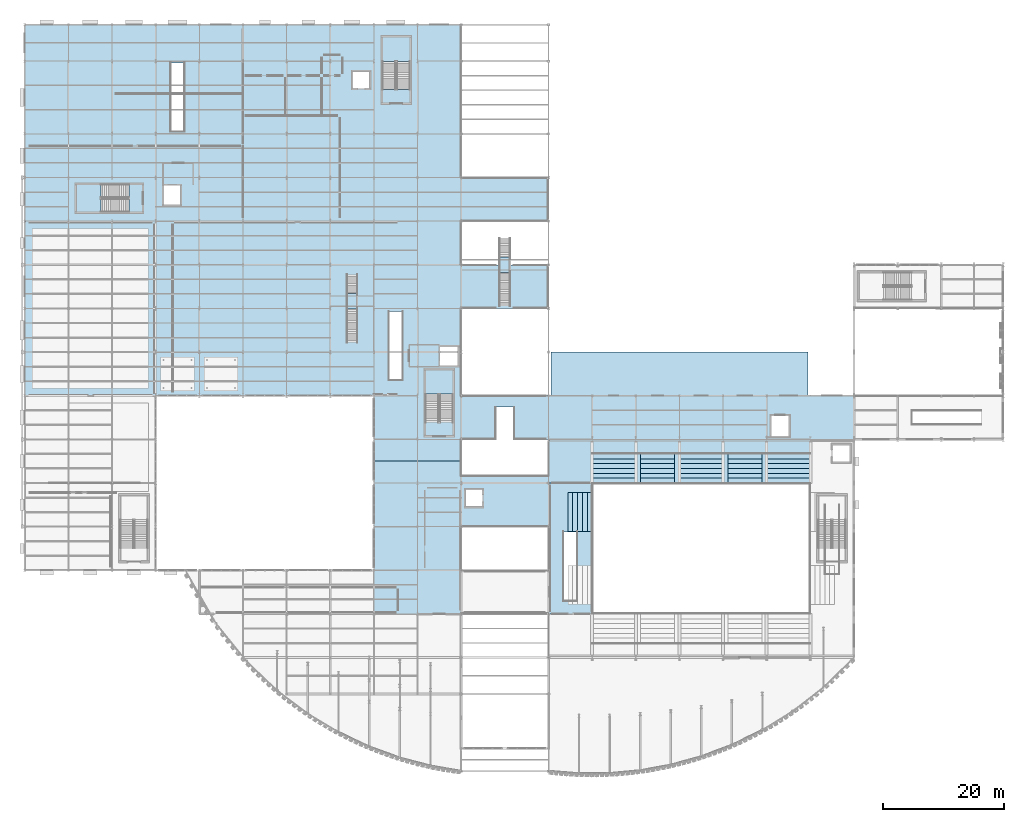
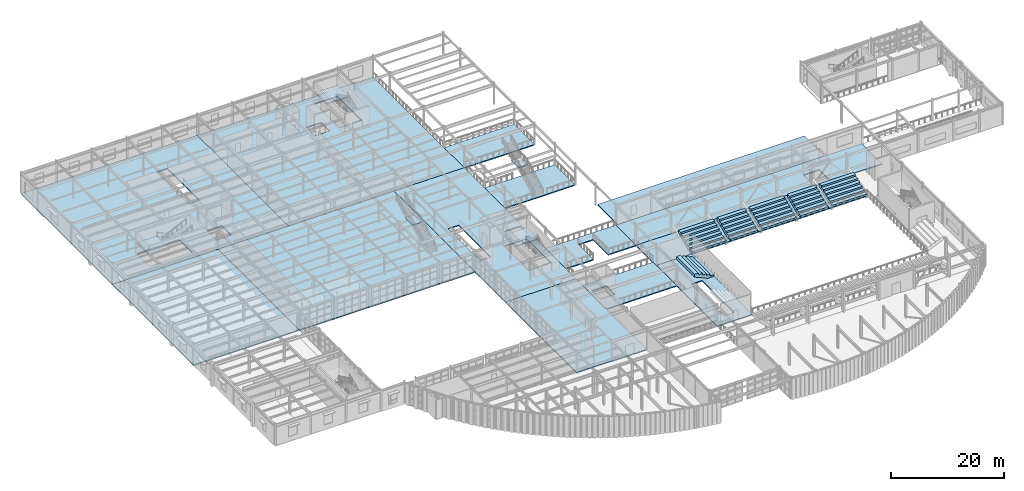
# One storey, part 87 of 121: 25 slabs, 5 elements without a shape of their own.
"""IFC4 building model written with IfcOpenShell, lengths in metres."""

from ifc_helpers import new_model, si_unit, direction, frame, origin, place, context, subcontext, project, spatial, polyline, outline, extrude, material, layer, layer_set, type_object, element, aggregate, save


model = new_model("IFC4")

# Units and contexts
model_context = context("Model", 3, precision=1e-05, world=origin(), true_north=direction((0.0, 1.0)))
body_context = subcontext(model_context, "Body", "Model", "MODEL_VIEW")
ifc_project = project(units=[si_unit("LENGTHUNIT", "METRE"), si_unit("AREAUNIT", "SQUARE_METRE"), si_unit("VOLUMEUNIT", "CUBIC_METRE"), si_unit("PLANEANGLEUNIT", "RADIAN"), si_unit("MASSUNIT", "GRAM", prefix="KILO")], contexts=[model_context])

# Site, building, storey
site_placement = place(None, origin())
site = spatial("IfcSite", under=ifc_project, at=site_placement, CompositionType="ELEMENT")
building_placement = place(site_placement, origin())
building = spatial("IfcBuilding", under=site, at=building_placement, Name="Solvadek Multi-Sports Hall", CompositionType="ELEMENT")
storey_placement = place(building_placement, frame((0.0, 0.0, 4.800048828125)))
storey = spatial("IfcBuildingStorey", under=building, at=storey_placement, Name="L01", CompositionType="ELEMENT", Elevation=4.800048828125)

# Stair, slab
ifc_material_1 = material(Name="Concrete M35", Category="concrete")
stair_type_1 = type_object("IfcStairType", Name="INT-STR-DOG220", PredefinedType="USERDEFINED", material=ifc_material_1)
stair_1_placement = place(storey_placement, origin())
stair_1 = element("IfcStair", 1, at=stair_1_placement, inside=storey, type_object=stair_type_1, Name="L01 Exit Stair Core ST-02 (NW Track Headhouse)", ObjectType="TWO_RUN_STAIR", PredefinedType="USERDEFINED")
ifc_layer_1 = layer(ifc_material_1, 0.199951171875, Name="Concrete M35")
ifc_layer_set_1 = layer_set([ifc_layer_1], Name="Concrete M35")
slab_type_1 = type_object("IfcSlabType", Name="INT-LND-RC200", PredefinedType="LANDING", material=ifc_layer_set_1)
slab_1_placement = place(storey_placement, frame((0.0, 0.0, 2.199951171875)))
slab_1 = element("IfcSlab", 2, at=slab_1_placement, type_object=slab_type_1, Name="ST-02 landing 1", PredefinedType="LANDING", context=body_context, shape_type="SweptSolid", body=[
    extrude(outline(polyline([(12.550048828125, 84.050048828125), (8.5, 84.050048828125), (8.5, 79.5), (12.550048828125, 79.5), (12.550048828125, 84.050048828125)])), origin(), (0.0, 0.0, 1.0), 0.199951171875),
])
aggregate(stair_1, [slab_1])

stair_2_placement = place(storey_placement, origin())
stair_2 = element("IfcStair", 3, at=stair_2_placement, inside=storey, type_object=stair_type_1, Name="L01 Exit Stair Core ST-03 (North Avenue Podium)", ObjectType="TWO_RUN_STAIR", PredefinedType="USERDEFINED")
slab_2_placement = place(storey_placement, frame((0.0, 0.0, 2.199951171875)))
slab_2 = element("IfcSlab", 4, at=slab_2_placement, type_object=slab_type_1, Name="ST-03 landing 1", PredefinedType="LANDING", context=body_context, shape_type="SweptSolid", body=[
    extrude(outline(polyline([(63.550048828125, 104.35009765625), (63.550048828125, 108.39990234375), (59.0, 108.39990234375), (59.0, 104.35009765625), (63.550048828125, 104.35009765625)])), origin(), (0.0, 0.0, 1.0), 0.199951171875),
])
aggregate(stair_2, [slab_2])

stair_3_placement = place(storey_placement, origin())
stair_3 = element("IfcStair", 5, at=stair_3_placement, inside=storey, type_object=stair_type_1, Name="L01 Exit Stair Core ST-04 (Central Passage West)", ObjectType="TWO_RUN_STAIR", PredefinedType="USERDEFINED")
slab_3_placement = place(storey_placement, frame((0.0, 0.0, 2.199951171875)))
slab_3 = element("IfcSlab", 6, at=slab_3_placement, type_object=slab_type_1, Name="ST-04 landing 1", PredefinedType="LANDING", context=body_context, shape_type="SweptSolid", body=[
    extrude(outline(polyline([(70.64990234375, 49.449951171875), (70.64990234375, 53.5), (66.10009765625, 53.5), (66.10009765625, 49.449951171875), (70.64990234375, 49.449951171875)])), origin(), (0.0, 0.0, 1.0), 0.199951171875),
])
aggregate(stair_3, [slab_3])

ifc_material_2 = material(Name="Steel E350 (350 MPa)", Category="steel")
stair_type_2 = type_object("IfcStairType", Name="INT-STR-MON260", PredefinedType="STRAIGHT_RUN_STAIR", material=ifc_material_2)
stair_4_placement = place(storey_placement, origin())
stair_4 = element("IfcStair", 7, at=stair_4_placement, inside=storey, type_object=stair_type_2, Name="L01 Monumental and Access Stair ST-08", PredefinedType="STRAIGHT_RUN_STAIR")
slab_4_placement = place(storey_placement, frame((0.0, 0.0, 2.800048828125)))
slab_4 = element("IfcSlab", 8, at=slab_4_placement, type_object=slab_type_1, Name="ST-08 landing 1", PredefinedType="LANDING", context=body_context, shape_type="SweptSolid", body=[
    extrude(outline(polyline([(80.125, 69.52001953125), (80.125, 72.080078125), (78.27490234375, 72.080078125), (78.27490234375, 69.52001953125), (80.125, 69.52001953125)])), origin(), (0.0, 0.0, 1.0), 0.199951171875),
])
aggregate(stair_4, [slab_4])

stair_type_3 = type_object("IfcStairType", Name="INT-STR-VOM180", PredefinedType="STRAIGHT_RUN_STAIR", material=ifc_material_1)
stair_5_placement = place(storey_placement, origin())
stair_5 = element("IfcStair", 9, at=stair_5_placement, inside=storey, type_object=stair_type_3, Name="L01 Monumental and Access Stair ST-13", PredefinedType="STRAIGHT_RUN_STAIR")
slab_5_placement = place(storey_placement, frame((0.0, 0.0, 2.800048828125)))
slab_5 = element("IfcSlab", 10, at=slab_5_placement, type_object=slab_type_1, Name="ST-13 landing 1", PredefinedType="LANDING", context=body_context, shape_type="SweptSolid", body=[
    extrude(outline(polyline([(54.89990234375, 63.52001953125), (54.89990234375, 66.080078125), (53.10009765625, 66.080078125), (53.10009765625, 63.52001953125), (54.89990234375, 63.52001953125)])), origin(), (0.0, 0.0, 1.0), 0.199951171875),
])
aggregate(stair_5, [slab_5])

# Slabs
ifc_layer_2 = layer(ifc_material_1, 0.199951171875, Name="Concrete M35")
ifc_layer_set_2 = layer_set([ifc_layer_2], Name="Concrete M35")
slab_type_2 = type_object("IfcSlabType", Name="STR-SLB-FLR200", PredefinedType="FLOOR", material=ifc_layer_set_2)
slab_6_placement = place(storey_placement, frame((0.0, 0.0, -0.219970703125)))
element("IfcSlab", 11, at=slab_6_placement, inside=storey, type_object=slab_type_2, Name="L01 First Floor Concourse Slab #62", PredefinedType="FLOOR", context=body_context, shape_type="SweptSolid", body=[
    extrude(outline(polyline([(72.0, 36.0), (86.39990234375, 36.0), (86.39990234375, 27.60009765625), (72.0, 27.60009765625), (72.0, 36.0)]), holes=[polyline([(75.60009765625, 30.800048828125), (75.60009765625, 33.800048828125), (72.60009765625, 33.800048828125), (72.60009765625, 30.800048828125), (75.60009765625, 30.800048828125)])]), origin(), (0.0, 0.0, 1.0), 0.219970703125),
])
slab_7_placement = place(storey_placement, frame((0.0, 0.0, -0.219970703125)))
element("IfcSlab", 12, at=slab_7_placement, inside=storey, type_object=slab_type_2, Name="L01 First Floor Concourse Slab #63", PredefinedType="FLOOR", context=body_context, shape_type="SweptSolid", body=[
    extrude(outline(polyline([(72.0, 70.580078125), (72.219970703125, 70.800048828125), (86.39990234375, 70.800048828125), (86.39990234375, 63.820068359375), (86.179931640625, 63.60009765625), (72.0, 63.60009765625), (72.0, 70.580078125)])), origin(), (0.0, 0.0, 1.0), 0.219970703125),
])
slab_8_placement = place(storey_placement, frame((0.0, 0.0, -0.219970703125)))
element("IfcSlab", 13, at=slab_8_placement, inside=storey, type_object=slab_type_2, Name="L01 First Floor Concourse Slab #64", PredefinedType="FLOOR", context=body_context, shape_type="SweptSolid", body=[
    extrude(outline(polyline([(72.0, 84.97998046875), (72.219970703125, 85.199951171875), (86.39990234375, 85.199951171875), (86.39990234375, 78.219970703125), (86.179931640625, 78.0), (72.0, 78.0), (72.0, 84.97998046875)])), origin(), (0.0, 0.0, 1.0), 0.219970703125),
])
slab_9_placement = place(storey_placement, frame((0.0, 0.0, -0.219970703125)))
element("IfcSlab", 14, at=slab_9_placement, inside=storey, type_object=slab_type_2, Name="L01 First Floor Concourse Slab #69", PredefinedType="FLOOR", context=body_context, shape_type="SweptSolid", body=[
    extrude(outline(polyline([(86.39990234375, 49.199951171875), (136.800048828125, 49.199951171875), (136.800048828125, 42.0), (129.60009765625, 42.0), (86.6201171875, 42.0), (86.39990234375, 42.0), (86.39990234375, 49.199951171875)]), holes=[polyline([(126.199951171875, 42.39990234375), (126.199951171875, 46.0), (123.0, 46.0), (123.0, 42.39990234375), (126.199951171875, 42.39990234375)])]), origin(), (0.0, 0.0, 1.0), 0.219970703125),
])
slab_10_placement = place(storey_placement, frame((0.0, 0.0, -0.219970703125)))
element("IfcSlab", 15, at=slab_10_placement, inside=storey, type_object=slab_type_2, Name="L01 First Floor Central Atrium Bridge #72", PredefinedType="FLOOR", context=body_context, shape_type="SweptSolid", body=[
    extrude(outline(polyline([(72.0, 49.199951171875), (86.39990234375, 49.199951171875), (86.39990234375, 42.0), (80.699951171875, 42.0), (80.699951171875, 47.320068359375), (77.699951171875, 47.320068359375), (77.699951171875, 42.0), (72.0, 42.0), (72.0, 49.199951171875)])), origin(), (0.0, 0.0, 1.0), 0.219970703125),
])
ifc_layer_3 = layer(ifc_material_1, 0.219970703125, Name="Concrete M35")
ifc_layer_set_3 = layer_set([ifc_layer_3], Name="Concrete M35")
slab_type_3 = type_object("IfcSlabType", Name="STR-SLB-FLR220", PredefinedType="FLOOR", material=ifc_layer_set_3)
slab_11_placement = place(storey_placement, frame((0.0, 0.0, -0.219970703125)))
element("IfcSlab", 16, at=slab_11_placement, inside=storey, type_object=slab_type_3, Name="L01 First Floor Concourse Slab #54", PredefinedType="FLOOR", context=body_context, shape_type="SweptSolid", body=[
    extrude(outline(polyline([(0.0, 77.780029296875), (0.219970703125, 78.0), (21.60009765625, 78.0), (21.60009765625, 49.419921875), (21.3798828125, 49.199951171875), (7.199951171875, 49.199951171875), (0.219970703125, 49.199951171875), (0.0, 49.199951171875), (0.0, 77.780029296875)])), origin(), (0.0, 0.0, 1.0), 0.219970703125),
])
slab_12_placement = place(storey_placement, frame((0.0, 0.0, -0.219970703125)))
element("IfcSlab", 17, at=slab_12_placement, inside=storey, type_object=slab_type_3, Name="L01 First Floor Concourse Slab #56", PredefinedType="FLOOR", context=body_context, shape_type="SweptSolid", body=[
    extrude(outline(polyline([(21.60009765625, 49.419921875), (21.60009765625, 77.780029296875), (21.820068359375, 78.0), (57.60009765625, 78.0), (57.60009765625, 49.419921875), (57.3798828125, 49.199951171875), (21.60009765625, 49.199951171875), (21.60009765625, 49.419921875)])), origin(), (0.0, 0.0, 1.0), 0.219970703125),
])
slab_13_placement = place(storey_placement, frame((0.0, 0.0, -0.219970703125)))
element("IfcSlab", 18, at=slab_13_placement, inside=storey, type_object=slab_type_3, Name="L01 First Floor Concourse Slab #57", PredefinedType="FLOOR", context=body_context, shape_type="SweptSolid", body=[
    extrude(outline(polyline([(57.60009765625, 13.419921875), (57.60009765625, 20.39990234375), (57.60009765625, 38.179931640625), (57.820068359375, 38.39990234375), (72.0, 38.39990234375), (72.0, 13.419921875), (71.780029296875, 13.199951171875), (57.60009765625, 13.199951171875), (57.60009765625, 13.419921875)])), origin(), (0.0, 0.0, 1.0), 0.219970703125),
])
slab_14_placement = place(storey_placement, frame((0.0, 0.0, -0.219970703125)))
element("IfcSlab", 19, at=slab_14_placement, inside=storey, type_object=slab_type_3, Name="L01 First Floor Concourse Slab #58", PredefinedType="FLOOR", context=body_context, shape_type="SweptSolid", body=[
    extrude(outline(polyline([(57.60009765625, 49.419921875), (57.60009765625, 78.0), (72.0, 78.0), (72.0, 38.39990234375), (57.820068359375, 38.39990234375), (57.60009765625, 38.39990234375), (57.60009765625, 49.419921875)]), holes=[polyline([(71.60009765625, 54.0), (71.60009765625, 57.39990234375), (68.39990234375, 57.39990234375), (68.39990234375, 54.0), (71.60009765625, 54.0)]), polyline([(70.64990234375, 53.5), (66.10009765625, 53.5), (66.10009765625, 44.844970703125), (70.64990234375, 44.844970703125), (70.64990234375, 53.5)]), polyline([(62.300048828125, 51.800048828125), (62.300048828125, 63.1201171875), (60.10009765625, 63.1201171875), (60.10009765625, 51.800048828125), (62.300048828125, 51.800048828125)])]), origin(), (0.0, 0.0, 1.0), 0.219970703125),
])
slab_15_placement = place(storey_placement, frame((0.0, 0.0, -0.219970703125)))
element("IfcSlab", 20, at=slab_15_placement, inside=storey, type_object=slab_type_3, Name="L01 First Floor Concourse Slab #59", PredefinedType="FLOOR", context=body_context, shape_type="SweptSolid", body=[
    extrude(outline(polyline([(0.0, 110.39990234375), (36.0, 110.39990234375), (36.0, 78.0), (21.820068359375, 78.0), (21.60009765625, 78.0), (0.219970703125, 78.0), (0.0, 78.0), (0.0, 110.39990234375)]), holes=[polyline([(26.300048828125, 92.800048828125), (26.300048828125, 104.1201171875), (24.10009765625, 104.1201171875), (24.10009765625, 92.800048828125), (26.300048828125, 92.800048828125)]), polyline([(25.800048828125, 80.60009765625), (25.800048828125, 84.0), (22.800048828125, 84.0), (22.800048828125, 80.60009765625), (25.800048828125, 80.60009765625)]), polyline([(8.5, 84.050048828125), (8.5, 79.5), (17.155029296875, 79.5), (17.155029296875, 84.050048828125), (8.5, 84.050048828125)])]), origin(), (0.0, 0.0, 1.0), 0.219970703125),
])
slab_16_placement = place(storey_placement, frame((0.0, 0.0, -0.219970703125)))
element("IfcSlab", 21, at=slab_16_placement, inside=storey, type_object=slab_type_3, Name="L01 First Floor Concourse Slab #60", PredefinedType="FLOOR", context=body_context, shape_type="SweptSolid", body=[
    extrude(outline(polyline([(36.0, 110.39990234375), (72.0, 110.39990234375), (72.0, 78.0), (57.60009765625, 78.0), (36.0, 78.0), (36.0, 110.39990234375)]), holes=[polyline([(63.550048828125, 108.39990234375), (59.0, 108.39990234375), (59.0, 99.7451171875), (63.550048828125, 99.7451171875), (63.550048828125, 108.39990234375)]), polyline([(57.0, 99.800048828125), (57.0, 102.800048828125), (54.0, 102.800048828125), (54.0, 99.800048828125), (57.0, 99.800048828125)])]), origin(), (0.0, 0.0, 1.0), 0.219970703125),
])
slab_17_placement = place(storey_placement, frame((0.0, 0.0, -0.219970703125)))
element("IfcSlab", 22, at=slab_17_placement, inside=storey, type_object=slab_type_3, Name="L01 First Floor Concourse Slab #66", PredefinedType="FLOOR", context=body_context, shape_type="SweptSolid", body=[
    extrude(outline(polyline([(86.39990234375, 36.0), (86.39990234375, 41.780029296875), (86.6201171875, 42.0), (129.60009765625, 42.0), (129.60009765625, 35.02001953125), (129.3798828125, 34.800048828125), (86.39990234375, 34.800048828125), (86.39990234375, 36.0)])), origin(), (0.0, 0.0, 1.0), 0.219970703125),
])
slab_18_placement = place(storey_placement, frame((0.0, 0.0, -0.219970703125)))
element("IfcSlab", 23, at=slab_18_placement, inside=storey, type_object=slab_type_3, Name="L01 First Floor Concourse Slab #67", PredefinedType="FLOOR", context=body_context, shape_type="SweptSolid", body=[
    extrude(outline(polyline([(86.39990234375, 13.419921875), (86.39990234375, 20.39990234375), (86.39990234375, 27.60009765625), (86.39990234375, 34.800048828125), (93.60009765625, 34.800048828125), (93.60009765625, 13.199951171875), (86.6201171875, 13.199951171875), (86.39990234375, 13.199951171875), (86.39990234375, 13.419921875)]), holes=[polyline([(91.10009765625, 15.39990234375), (91.10009765625, 26.719970703125), (88.89990234375, 26.719970703125), (88.89990234375, 15.39990234375), (91.10009765625, 15.39990234375)])]), origin(), (0.0, 0.0, 1.0), 0.219970703125),
])
ifc_layer_4 = layer(ifc_material_1, 0.199951171875, Name="Concrete M35")
ifc_layer_set_4 = layer_set([ifc_layer_4], Name="Concrete M35")
slab_type_4 = type_object("IfcSlabType", Name="STR-SLB-ROOF200", PredefinedType="ROOF", material=ifc_layer_set_4)
slab_19_placement = place(storey_placement, frame((0.0, 0.0, -0.219970703125)))
element("IfcSlab", 24, at=slab_19_placement, inside=storey, type_object=slab_type_4, Name="L01 Service Dock Flat Roof #89", PredefinedType="ROOF", context=body_context, shape_type="SweptSolid", body=[
    extrude(outline(polyline([(86.800048828125, 56.39990234375), (129.199951171875, 56.39990234375), (129.199951171875, 49.199951171875), (86.800048828125, 49.199951171875), (86.800048828125, 56.39990234375)])), origin(), (0.0, 0.0, 1.0), 0.199951171875),
])
ifc_material_3 = material(Name="Precast concrete M40", Category="concrete")
ifc_layer_5 = layer(ifc_material_3, 0.219970703125, Name="Precast concrete M40")
ifc_layer_set_5 = layer_set([ifc_layer_5], Name="Precast concrete M40")
slab_type_5 = type_object("IfcSlabType", Name="STR-SLB-TIER220", PredefinedType="USERDEFINED", material=ifc_layer_set_5)
slab_20_placement = place(storey_placement, frame((97.199951171875, 34.800048828125, 0.0), z_axis=(0.0, 0.0, 1.0), x_axis=(0.0, 1.0, 0.0)))
element("IfcSlab", 25, at=slab_20_placement, inside=storey, type_object=slab_type_5, Name="L01 North Spectator Seating Tier Bay 1", ObjectType="SEATING TIER", PredefinedType="USERDEFINED", context=body_context, shape_type="SweptSolid", body=[
    extrude(outline(polyline([(0.0, 0.0), (0.0, 0.360107421875), (0.800048828125, 0.360107421875), (0.800048828125, 0.719970703125), (1.60009765625, 0.719970703125), (1.60009765625, 1.080078125), (2.39990234375, 1.080078125), (2.39990234375, 1.43994140625), (3.199951171875, 1.43994140625), (3.199951171875, 1.800048828125), (4.0, 1.800048828125), (4.0, 2.159912109375), (4.800048828125, 2.159912109375), (4.800048828125, 1.558837890625), (1.3359375, 0.0), (0.0, 0.0)])), frame((0.0, 3.5, 0.0), z_axis=(0.0, -1.0, 0.0), x_axis=(1.0, 0.0, 0.0)), (0.0, 0.0, 1.0), 7.0),
])
slab_21_placement = place(storey_placement, frame((104.39990234375, 34.800048828125, 0.0), z_axis=(0.0, 0.0, 1.0), x_axis=(0.0, 1.0, 0.0)))
element("IfcSlab", 26, at=slab_21_placement, inside=storey, type_object=slab_type_5, Name="L01 North Spectator Seating Tier Bay 2", ObjectType="SEATING TIER", PredefinedType="USERDEFINED", context=body_context, shape_type="SweptSolid", body=[
    extrude(outline(polyline([(0.0, 0.0), (0.0, 0.360107421875), (0.800048828125, 0.360107421875), (0.800048828125, 0.719970703125), (1.60009765625, 0.719970703125), (1.60009765625, 1.080078125), (2.39990234375, 1.080078125), (2.39990234375, 1.43994140625), (3.199951171875, 1.43994140625), (3.199951171875, 1.800048828125), (4.0, 1.800048828125), (4.0, 2.159912109375), (4.800048828125, 2.159912109375), (4.800048828125, 1.558837890625), (1.3359375, 0.0), (0.0, 0.0)])), frame((0.0, 2.800048828125, 0.0), z_axis=(0.0, -1.0, 0.0), x_axis=(1.0, 0.0, 0.0)), (0.0, 0.0, 1.0), 5.60009765625),
])
slab_22_placement = place(storey_placement, frame((111.60009765625, 34.800048828125, 0.0), z_axis=(0.0, 0.0, 1.0), x_axis=(0.0, 1.0, 0.0)))
element("IfcSlab", 27, at=slab_22_placement, inside=storey, type_object=slab_type_5, Name="L01 North Spectator Seating Tier Bay 3", ObjectType="SEATING TIER", PredefinedType="USERDEFINED", context=body_context, shape_type="SweptSolid", body=[
    extrude(outline(polyline([(0.0, 0.0), (0.0, 0.360107421875), (0.800048828125, 0.360107421875), (0.800048828125, 0.719970703125), (1.60009765625, 0.719970703125), (1.60009765625, 1.080078125), (2.39990234375, 1.080078125), (2.39990234375, 1.43994140625), (3.199951171875, 1.43994140625), (3.199951171875, 1.800048828125), (4.0, 1.800048828125), (4.0, 2.159912109375), (4.800048828125, 2.159912109375), (4.800048828125, 1.558837890625), (1.3359375, 0.0), (0.0, 0.0)])), frame((0.0, 3.5, 0.0), z_axis=(0.0, -1.0, 0.0), x_axis=(1.0, 0.0, 0.0)), (0.0, 0.0, 1.0), 7.0),
])
slab_23_placement = place(storey_placement, frame((118.800048828125, 34.800048828125, 0.0), z_axis=(0.0, 0.0, 1.0), x_axis=(0.0, 1.0, 0.0)))
element("IfcSlab", 28, at=slab_23_placement, inside=storey, type_object=slab_type_5, Name="L01 North Spectator Seating Tier Bay 4", ObjectType="SEATING TIER", PredefinedType="USERDEFINED", context=body_context, shape_type="SweptSolid", body=[
    extrude(outline(polyline([(0.0, 0.0), (0.0, 0.360107421875), (0.800048828125, 0.360107421875), (0.800048828125, 0.719970703125), (1.60009765625, 0.719970703125), (1.60009765625, 1.080078125), (2.39990234375, 1.080078125), (2.39990234375, 1.43994140625), (3.199951171875, 1.43994140625), (3.199951171875, 1.800048828125), (4.0, 1.800048828125), (4.0, 2.159912109375), (4.800048828125, 2.159912109375), (4.800048828125, 1.558837890625), (1.3359375, 0.0), (0.0, 0.0)])), frame((0.0, 2.800048828125, 0.0), z_axis=(0.0, -1.0, 0.0), x_axis=(1.0, 0.0, 0.0)), (0.0, 0.0, 1.0), 5.60009765625),
])
slab_24_placement = place(storey_placement, frame((126.0, 34.800048828125, 0.0), z_axis=(0.0, 0.0, 1.0), x_axis=(0.0, 1.0, 0.0)))
element("IfcSlab", 29, at=slab_24_placement, inside=storey, type_object=slab_type_5, Name="L01 North Spectator Seating Tier Bay 5", ObjectType="SEATING TIER", PredefinedType="USERDEFINED", context=body_context, shape_type="SweptSolid", body=[
    extrude(outline(polyline([(0.0, 0.0), (0.0, 0.360107421875), (0.800048828125, 0.360107421875), (0.800048828125, 0.719970703125), (1.60009765625, 0.719970703125), (1.60009765625, 1.080078125), (2.39990234375, 1.080078125), (2.39990234375, 1.43994140625), (3.199951171875, 1.43994140625), (3.199951171875, 1.800048828125), (4.0, 1.800048828125), (4.0, 2.159912109375), (4.800048828125, 2.159912109375), (4.800048828125, 1.558837890625), (1.3359375, 0.0), (0.0, 0.0)])), frame((0.0, 3.5, 0.0), z_axis=(0.0, -1.0, 0.0), x_axis=(1.0, 0.0, 0.0)), (0.0, 0.0, 1.0), 7.0),
])
slab_25_placement = place(storey_placement, frame((93.60009765625, 30.0, 0.0), z_axis=(0.0, 0.0, 1.0), x_axis=(-1.0, 0.0, 0.0)))
element("IfcSlab", 30, at=slab_25_placement, inside=storey, type_object=slab_type_5, Name="L01 West Spectator Seating Tier #13", ObjectType="SEATING TIER", PredefinedType="USERDEFINED", context=body_context, shape_type="SweptSolid", body=[
    extrude(outline(polyline([(0.0, 0.0), (0.0, 0.360107421875), (0.800048828125, 0.360107421875), (0.800048828125, 0.719970703125), (1.60009765625, 0.719970703125), (1.60009765625, 1.080078125), (2.39990234375, 1.080078125), (2.39990234375, 1.43994140625), (3.199951171875, 1.43994140625), (3.199951171875, 1.800048828125), (4.0, 1.800048828125), (4.0, 1.19873046875), (1.3359375, 0.0), (0.0, 0.0)])), frame((0.0, 3.199951171875, 0.0), z_axis=(0.0, -1.0, 0.0), x_axis=(1.0, 0.0, 0.0)), (0.0, 0.0, 1.0), 6.39990234375),
])

save(model, "model.ifc")
